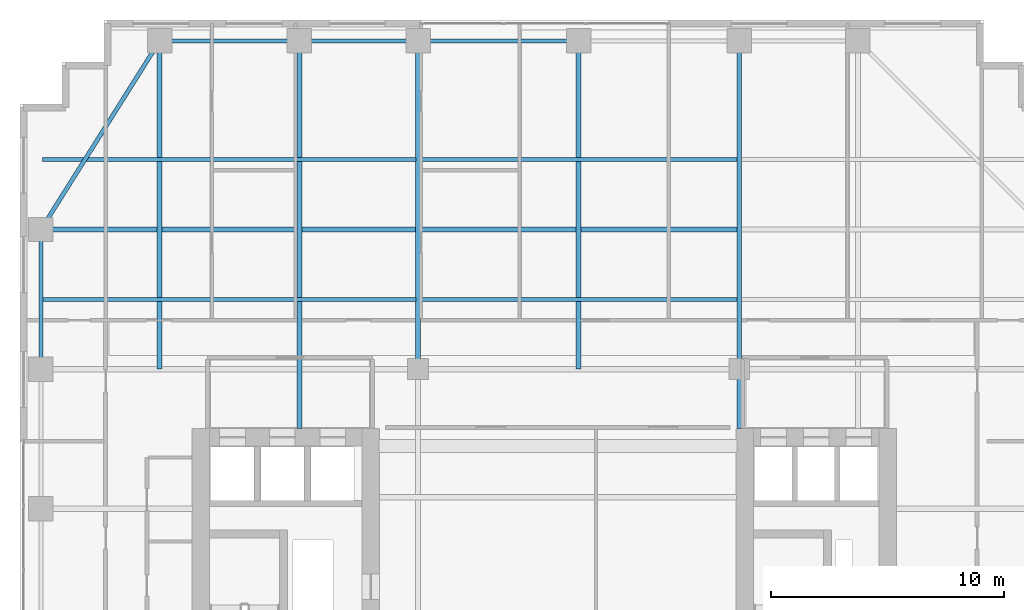
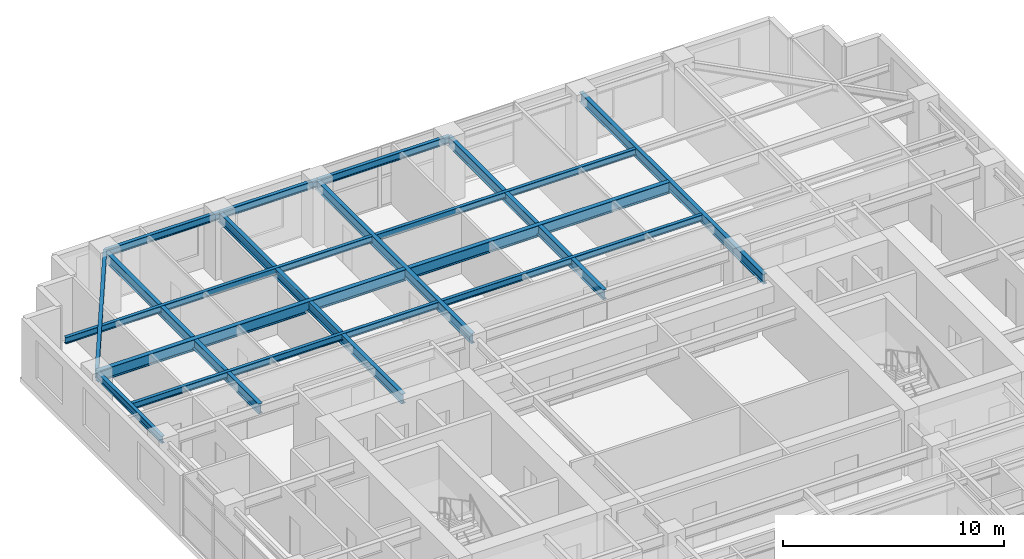
# One storey, part 9 of 20: 16 beams.
"""IFC4 building model written with IfcOpenShell, lengths in metres."""

from ifc_helpers import new_model, si_unit, direction, frame, origin, origin_2d, place, context, subcontext, project, spatial, i_section, extrude, source, transform, mapped, material, material_profile, profile_set, type_object, element, save


model = new_model("IFC4")

# Units and contexts
model_context = context("Model", 3, precision=1e-05, world=origin(), true_north=direction((0.0, 1.0)))
body_context = subcontext(model_context, "Body", "Model", "MODEL_VIEW")
ifc_project = project(units=[si_unit("LENGTHUNIT", "METRE"), si_unit("AREAUNIT", "SQUARE_METRE"), si_unit("VOLUMEUNIT", "CUBIC_METRE"), si_unit("PLANEANGLEUNIT", "RADIAN"), si_unit("MASSUNIT", "GRAM", prefix="KILO")], contexts=[model_context])

# Site, building, storey
site_placement = place(None, origin())
site = spatial("IfcSite", under=ifc_project, at=site_placement, CompositionType="ELEMENT")
building_placement = place(site_placement, origin())
building = spatial("IfcBuilding", under=site, at=building_placement, Name="Khoralis Quay Care Tower", CompositionType="ELEMENT")
storey_placement = place(building_placement, frame((0.0, 0.0, 116.10009765625)))
storey = spatial("IfcBuildingStorey", under=building, at=storey_placement, Name="L30", CompositionType="ELEMENT", Elevation=116.10009765625)

# Beams
ifc_material = material(Name="Steel S355", Category="steel")
ifc_material_profile_1 = material_profile(ifc_material, i_section(OverallWidth=0.179931640625, OverallDepth=0.39990234375, WebThickness=0.008544921875, FlangeThickness=0.013427734375, FilletRadius=0.02099609375, at=origin_2d()), Name="Steel S355")
ifc_profile_set_1 = profile_set([ifc_material_profile_1], Name="Steel S355")
beam_type_1 = type_object("IfcBeamType", Name="BM-IPE400", PredefinedType="SPANDREL", material=ifc_profile_set_1)
shared_shape_1 = source(origin(), body_context, "Body", "SweptSolid", [
    extrude(i_section(OverallWidth=0.179931640625, OverallDepth=0.39990234375, WebThickness=0.008544921875, FlangeThickness=0.013427734375, FilletRadius=0.02099609375, at=origin_2d()), origin(), (0.0, 0.0, 1.0), 6.0),
])
for number, where, z_axis, x_axis, name in (
    (1, (6.0, 44.10009765625, 3.139892578125), (1.0, 0.0, 0.0), (0.0, 1.0, 0.0), "BM-TSP-L30-06"),
    (2, (0.89990234375, 30.0, 3.139892578125), (0.0, 1.0, 0.0), (-1.0, 0.0, 0.0), "BM-TSP-L30-15"),
):
    element("IfcBeam", number, at=place(storey_placement, frame(where, z_axis=z_axis, x_axis=x_axis)), inside=storey, type_object=beam_type_1, Name=name, PredefinedType="SPANDREL", context=body_context, shape_type="MappedRepresentation", body=[
        mapped(shared_shape_1, transform((0.0, 0.0, 0.0), scale=1.0)),
    ])
shared_shape_2 = source(origin(), body_context, "Body", "SweptSolid", [
    extrude(i_section(OverallWidth=0.179931640625, OverallDepth=0.39990234375, WebThickness=0.008544921875, FlangeThickness=0.013427734375, FilletRadius=0.02099609375, at=origin_2d()), origin(), (0.0, 0.0, 1.0), 5.10009765625),
])
beam_1_placement = place(storey_placement, frame((12.0, 44.10009765625, 3.139892578125), z_axis=(1.0, 0.0, 0.0), x_axis=(0.0, 1.0, 0.0)))
element("IfcBeam", 3, at=beam_1_placement, inside=storey, type_object=beam_type_1, Name="BM-TSP-L30-07", PredefinedType="SPANDREL", context=body_context, shape_type="MappedRepresentation", body=[
    mapped(shared_shape_2, transform((0.0, 0.0, 0.0), scale=1.0)),
])
shared_shape_3 = source(origin(), body_context, "Body", "SweptSolid", [
    extrude(i_section(OverallWidth=0.179931640625, OverallDepth=0.39990234375, WebThickness=0.008544921875, FlangeThickness=0.013427734375, FilletRadius=0.02099609375, at=origin_2d()), origin(), (0.0, 0.0, 1.0), 6.89990234375),
])
beam_2_placement = place(storey_placement, frame((17.10009765625, 44.10009765625, 3.139892578125), z_axis=(1.0, 0.0, 0.0), x_axis=(0.0, 1.0, 0.0)))
element("IfcBeam", 4, at=beam_2_placement, inside=storey, type_object=beam_type_1, Name="BM-TSP-L30-08", PredefinedType="SPANDREL", context=body_context, shape_type="MappedRepresentation", body=[
    mapped(shared_shape_3, transform((0.0, 0.0, 0.0), scale=1.0)),
])
shared_shape_4 = source(origin(), body_context, "Body", "SweptSolid", [
    extrude(i_section(OverallWidth=0.179931640625, OverallDepth=0.39990234375, WebThickness=0.008544921875, FlangeThickness=0.013427734375, FilletRadius=0.02099609375, at=origin_2d()), origin(), (0.0, 0.0, 1.0), 9.572021484375),
])
beam_3_placement = place(storey_placement, frame((6.0, 44.10009765625, 3.139892578125), z_axis=(-0.532815975602, -0.846231136359, 0.0), x_axis=(0.846231136359, -0.532815975602, 0.0)))
element("IfcBeam", 5, at=beam_3_placement, inside=storey, type_object=beam_type_1, Name="BM-TCR-L30-23", PredefinedType="SPANDREL", context=body_context, shape_type="MappedRepresentation", body=[
    mapped(shared_shape_4, transform((0.0, 0.0, 0.0), scale=1.0)),
])
ifc_material_profile_2 = material_profile(ifc_material, i_section(OverallWidth=0.22998046875, OverallDepth=0.616943359375, WebThickness=0.01318359375, FlangeThickness=0.022216796875, FilletRadius=0.01806640625, at=origin_2d()), Name="Steel S355")
ifc_profile_set_2 = profile_set([ifc_material_profile_2], Name="Steel S355")
beam_type_2 = type_object("IfcBeamType", Name="BM-W610X140", PredefinedType="BEAM", material=ifc_profile_set_2)
shared_shape_5 = source(origin(), body_context, "Body", "SweptSolid", [
    extrude(i_section(OverallWidth=0.22998046875, OverallDepth=0.616943359375, WebThickness=0.01318359375, FlangeThickness=0.022216796875, FilletRadius=0.01806640625, at=origin_2d()), origin(), (0.0, 0.0, 1.0), 16.106201171875),
])
beam_4_placement = place(storey_placement, frame((0.89990234375, 36.0, 3.031494140625), z_axis=(1.0, 0.0, 0.0), x_axis=(0.0, 1.0, 0.0)))
element("IfcBeam", 6, at=beam_4_placement, inside=storey, type_object=beam_type_2, Name="BM-TGXW-L30-360", PredefinedType="BEAM", context=body_context, shape_type="MappedRepresentation", body=[
    mapped(shared_shape_5, transform((0.0, 0.0, 0.0), scale=1.0)),
])
shared_shape_6 = source(origin(), body_context, "Body", "SweptSolid", [
    extrude(i_section(OverallWidth=0.22998046875, OverallDepth=0.616943359375, WebThickness=0.01318359375, FlangeThickness=0.022216796875, FilletRadius=0.01806640625, at=origin_2d()), origin(), (0.0, 0.0, 1.0), 13.61181640625),
])
beam_5_placement = place(storey_placement, frame((17.194091796875, 36.0, 3.031494140625), z_axis=(1.0, 0.0, 0.0), x_axis=(0.0, 1.0, 0.0)))
element("IfcBeam", 7, at=beam_5_placement, inside=storey, type_object=beam_type_2, Name="BM-TGCC-L30-360", PredefinedType="BEAM", context=body_context, shape_type="MappedRepresentation", body=[
    mapped(shared_shape_6, transform((0.0, 0.0, 0.0), scale=1.0)),
])
ifc_material_profile_3 = material_profile(ifc_material, i_section(OverallWidth=0.2119140625, OverallDepth=0.5439453125, WebThickness=0.01318359375, FlangeThickness=0.021240234375, FilletRadius=0.01611328125, at=origin_2d()), Name="Steel S355")
ifc_profile_set_3 = profile_set([ifc_material_profile_3], Name="Steel S355")
beam_type_3 = type_object("IfcBeamType", Name="BM-W530X123", PredefinedType="BEAM", material=ifc_profile_set_3)
shared_shape_7 = source(origin(), body_context, "Body", "SweptSolid", [
    extrude(i_section(OverallWidth=0.2119140625, OverallDepth=0.5439453125, WebThickness=0.01318359375, FlangeThickness=0.021240234375, FilletRadius=0.01611328125, at=origin_2d()), origin(), (0.0, 0.0, 1.0), 14.10009765625),
])
for number, where, z_axis, x_axis, name in (
    (8, (6.0, 30.0, 3.06787109375), (0.0, 1.0, 0.0), (-1.0, 0.0, 0.0), "BM-TGYN-L30-60"),
    (9, (17.10009765625, 30.0, 3.06787109375), (0.0, 1.0, 0.0), (-1.0, 0.0, 0.0), "BM-TGYN-L30-171"),
    (10, (24.0, 30.0, 3.06787109375), (0.0, 1.0, 0.0), (-1.0, 0.0, 0.0), "BM-TGYN-L30-240"),
):
    element("IfcBeam", number, at=place(storey_placement, frame(where, z_axis=z_axis, x_axis=x_axis)), inside=storey, type_object=beam_type_3, Name=name, PredefinedType="BEAM", context=body_context, shape_type="MappedRepresentation", body=[
        mapped(shared_shape_7, transform((0.0, 0.0, 0.0), scale=1.0)),
    ])
shared_shape_8 = source(origin(), body_context, "Body", "SweptSolid", [
    extrude(i_section(OverallWidth=0.2119140625, OverallDepth=0.5439453125, WebThickness=0.01318359375, FlangeThickness=0.021240234375, FilletRadius=0.01611328125, at=origin_2d()), origin(), (0.0, 0.0, 1.0), 16.652099609375),
])
for number, where, z_axis, x_axis, name in (
    (11, (12.0, 27.447998046875, 3.06787109375), (0.0, 1.0, 0.0), (-1.0, 0.0, 0.0), "BM-TGYN-L30-120"),
    (12, (30.89990234375, 27.447998046875, 3.06787109375), (0.0, 1.0, 0.0), (-1.0, 0.0, 0.0), "BM-TGYN-L30-309"),
):
    element("IfcBeam", number, at=place(storey_placement, frame(where, z_axis=z_axis, x_axis=x_axis)), inside=storey, type_object=beam_type_3, Name=name, PredefinedType="BEAM", context=body_context, shape_type="MappedRepresentation", body=[
        mapped(shared_shape_8, transform((0.0, 0.0, 0.0), scale=1.0)),
    ])
ifc_material_profile_4 = material_profile(ifc_material, i_section(OverallWidth=0.1708984375, OverallDepth=0.35498046875, WebThickness=0.007080078125, FlangeThickness=0.01171875, FilletRadius=0.012939453125, at=origin_2d()), Name="Steel S355")
ifc_profile_set_4 = profile_set([ifc_material_profile_4], Name="Steel S355")
beam_type_4 = type_object("IfcBeamType", Name="BM-W360X51", PredefinedType="JOIST", material=ifc_profile_set_4)
shared_shape_9 = source(origin(), body_context, "Body", "SweptSolid", [
    extrude(i_section(OverallWidth=0.1708984375, OverallDepth=0.35498046875, WebThickness=0.007080078125, FlangeThickness=0.01171875, FilletRadius=0.012939453125, at=origin_2d()), origin(), (0.0, 0.0, 1.0), 16.030029296875),
])
for number, where, z_axis, x_axis, name in (
    (13, (0.97607421875, 33.0, 3.162353515625), (1.0, 0.0, 0.0), (0.0, 1.0, 0.0), "BM-TJS-L30-28"),
    (14, (0.97607421875, 39.0, 3.162353515625), (1.0, 0.0, 0.0), (0.0, 1.0, 0.0), "BM-TJS-L30-31"),
):
    element("IfcBeam", number, at=place(storey_placement, frame(where, z_axis=z_axis, x_axis=x_axis)), inside=storey, type_object=beam_type_4, Name=name, PredefinedType="JOIST", context=body_context, shape_type="MappedRepresentation", body=[
        mapped(shared_shape_9, transform((0.0, 0.0, 0.0), scale=1.0)),
    ])
shared_shape_10 = source(origin(), body_context, "Body", "SweptSolid", [
    extrude(i_section(OverallWidth=0.1708984375, OverallDepth=0.35498046875, WebThickness=0.007080078125, FlangeThickness=0.01171875, FilletRadius=0.012939453125, at=origin_2d()), origin(), (0.0, 0.0, 1.0), 13.61181640625),
])
for number, where, z_axis, x_axis, name in (
    (15, (17.194091796875, 33.0, 3.162353515625), (1.0, 0.0, 0.0), (0.0, 1.0, 0.0), "BM-TJS-L30-30"),
    (16, (17.194091796875, 39.0, 3.162353515625), (1.0, 0.0, 0.0), (0.0, 1.0, 0.0), "BM-TJS-L30-33"),
):
    element("IfcBeam", number, at=place(storey_placement, frame(where, z_axis=z_axis, x_axis=x_axis)), inside=storey, type_object=beam_type_4, Name=name, PredefinedType="JOIST", context=body_context, shape_type="MappedRepresentation", body=[
        mapped(shared_shape_10, transform((0.0, 0.0, 0.0), scale=1.0)),
    ])

save(model, "model.ifc")
